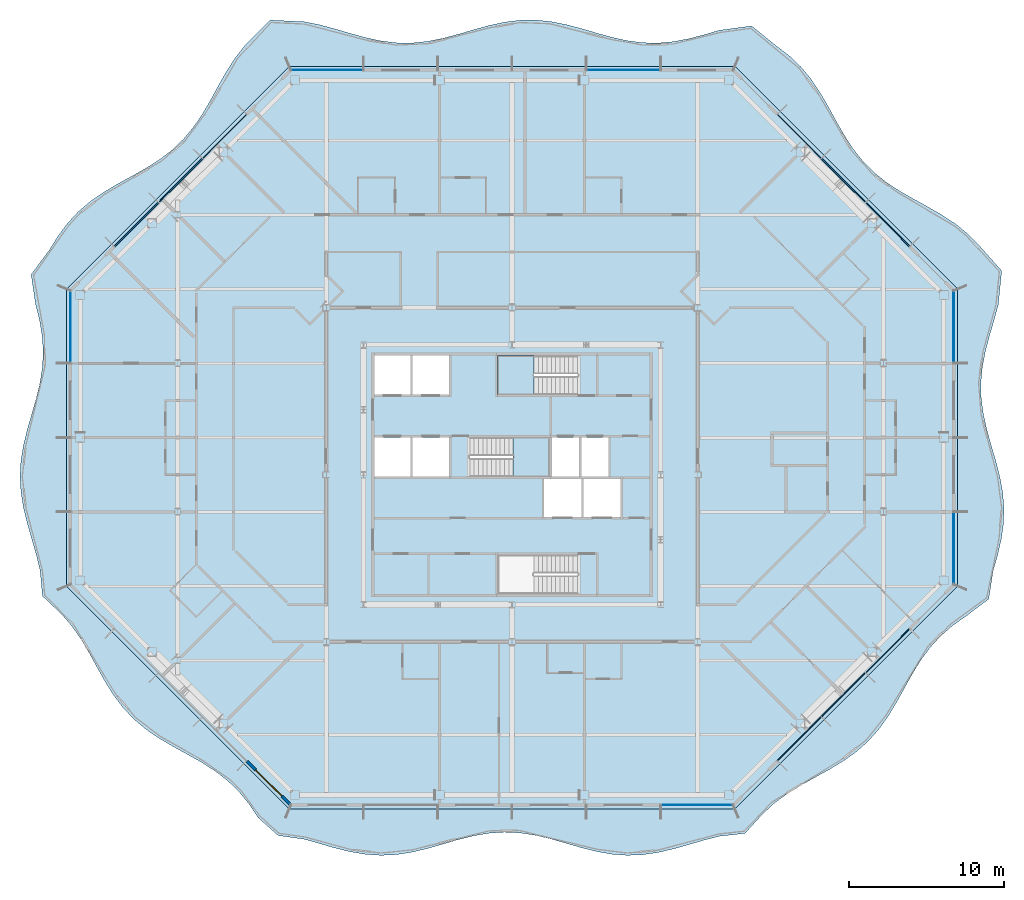
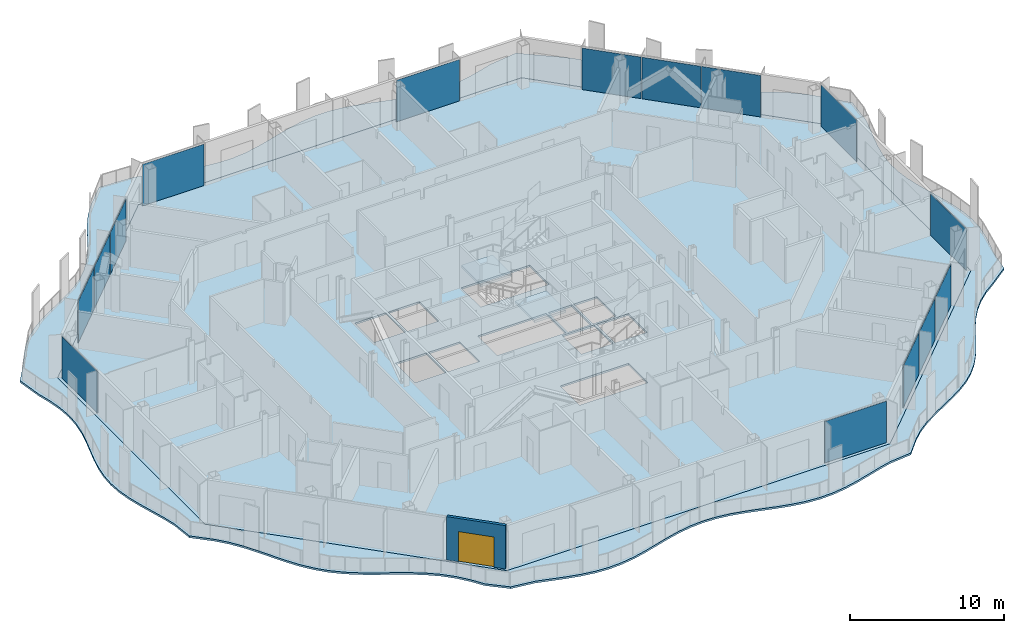
# One storey, part 6 of 21: 15 plates, 4 slabs, 1 door, 1 wall, 1 opening, 9 elements without a shape of their own.
"""IFC4 building model written with IfcOpenShell, lengths in metres."""

from ifc_helpers import new_model, si_unit, direction, frame, frame_2d, origin, origin_2d, place, context, subcontext, project, spatial, polyline, rectangle, outline, extrude, material, layer, layer_set, type_object, element, fill, aggregate, save


model = new_model("IFC4")

# Units and contexts
model_context = context("Model", 3, precision=1e-05, world=origin(), true_north=direction((0.0, 1.0)))
body_context = subcontext(model_context, "Body", "Model", "MODEL_VIEW")
ifc_project = project(units=[si_unit("LENGTHUNIT", "METRE"), si_unit("AREAUNIT", "SQUARE_METRE"), si_unit("VOLUMEUNIT", "CUBIC_METRE"), si_unit("PLANEANGLEUNIT", "RADIAN"), si_unit("MASSUNIT", "GRAM", prefix="KILO")], contexts=[model_context])

# Site, building, storey
site_placement = place(None, origin())
site = spatial("IfcSite", under=ifc_project, at=site_placement, CompositionType="ELEMENT")
building_placement = place(site_placement, origin())
building = spatial("IfcBuilding", under=site, at=building_placement, Name="Cairn Pilgrim Tower", CompositionType="ELEMENT")
storey_placement = place(building_placement, frame((0.0, 0.0, 157.800048828125)))
storey = spatial("IfcBuildingStorey", under=building, at=storey_placement, Name="L39", CompositionType="ELEMENT", Elevation=157.800048828125)

# Slabs
ifc_material_1 = material(Name="Concrete C35/45", Category="concrete")
ifc_layer_1 = layer(ifc_material_1, 0.14990234375)
ifc_layer_set_1 = layer_set([ifc_layer_1], Name="BALCONY SLAB 150 CONCRETE C35/45")
slab_type_1 = type_object("IfcSlabType", Name="BALCONY SLAB 150 CONCRETE C35/45", PredefinedType="FLOOR", material=ifc_layer_set_1)
slab_1_placement = place(storey_placement, frame((0.0, 0.0, -0.150146484375)))
element("IfcSlab", 1, at=slab_1_placement, inside=storey, type_object=slab_type_1, Name="Balcony slab BS-1", PredefinedType="FLOOR", context=body_context, shape_type="SweptSolid", body=[
    extrude(outline(polyline([(-9.2060546875, -19.76611328125), (-7.912353515625, -20.919677734375), (-6.206787109375, -21.1611328125), (-5.2138671875, -21.446044921875), (-4.220703125, -21.7314453125), (-3.2275390625, -21.974609375), (-2.234375, -22.138916015625), (-1.241455078125, -22.199951171875), (-0.248291015625, -22.148193359375), (0.744873046875, -21.99169921875), (1.738037109375, -21.75390625), (2.73095703125, -21.47021484375), (3.72412109375, -21.183837890625), (4.71728515625, -20.937255859375), (5.71044921875, -20.767578125), (6.703369140625, -20.700439453125), (7.696533203125, -20.74609375), (8.689697265625, -20.897216796875), (9.682861328125, -21.13134765625), (10.67578125, -21.41357421875), (11.6689453125, -21.700927734375), (12.662109375, -21.950927734375), (13.6552734375, -22.12548828125), (14.648193359375, -22.19873046875), (15.641357421875, -22.159423828125), (16.634521484375, -22.013671875), (17.627685546875, -21.783203125), (18.62060546875, -21.502685546875), (19.61376953125, -21.21435546875), (20.60693359375, -20.96142578125), (22.255126953125, -20.78173828125), (23.382080078125, -19.5419921875), (24.12890625, -18.84912109375), (24.955322265625, -18.235107421875), (25.84375, -17.683837890625), (26.768310546875, -17.168212890625), (27.6962890625, -16.656494140625), (28.59521484375, -16.115234375), (29.4365234375, -15.5166015625), (30.201171875, -14.84130859375), (30.88232421875, -14.082275390625), (31.48583984375, -13.245849609375), (32.0302734375, -12.350341796875), (32.543212890625, -11.42333984375), (33.057373046875, -10.49755859375), (33.605224609375, -9.605224609375), (34.214111328125, -8.77392578125), (34.901123046875, -8.021240234375), (35.671875, -7.351806640625), (36.51806640625, -6.758056640625), (38.00830078125, -5.6318359375), (38.301513671875, -3.78955078125), (38.586669921875, -2.779052734375), (38.819580078125, -1.768310546875), (38.9638671875, -0.7578125), (38.997314453125, 0.252685546875), (38.91455078125, 1.26318359375), (38.728515625, 2.273681640625), (38.468017578125, 3.2841796875), (38.173828125, 4.294677734375), (37.891357421875, 5.30517578125), (37.66455078125, 6.315673828125), (37.52880859375, 7.326416015625), (37.50537109375, 8.3369140625), (37.597412109375, 9.347412109375), (37.791015625, 10.35791015625), (38.055908203125, 11.368408203125), (38.350830078125, 12.37890625), (38.63037109375, 13.389404296875), (38.8505859375, 15.580810546875), (37.3857421875, 17.225830078125), (36.6748046875, 17.954833984375), (35.881103515625, 18.60107421875), (35.016357421875, 19.17626953125), (34.103515625, 19.703369140625), (33.1728515625, 20.212890625), (32.257568359375, 20.73779296875), (31.388916015625, 21.308837890625), (30.589599609375, 21.94970703125), (29.872802734375, 22.6728515625), (29.23779296875, 23.477783203125), (28.6708984375, 24.35107421875), (28.1484375, 25.268310546875), (27.638916015625, 26.19873046875), (27.109130859375, 27.109130859375), (26.529296875, 27.96923828125), (25.876953125, 28.757080078125), (25.141845703125, 29.4619140625), (24.325927734375, 30.0859375), (22.6806640625, 31.408935546875), (20.60693359375, 31.131591796875), (19.61376953125, 30.842041015625), (18.62060546875, 30.583740234375), (17.627685546875, 30.395263671875), (16.634521484375, 30.305419921875), (15.641357421875, 30.3271484375), (14.648193359375, 30.45751953125), (13.6552734375, 30.677001953125), (12.662109375, 30.952392578125), (11.6689453125, 31.242431640625), (10.67578125, 31.50341796875), (9.682861328125, 31.696533203125), (8.689697265625, 31.79248046875), (7.696533203125, 31.77685546875), (6.703369140625, 31.65234375), (5.71044921875, 31.43701171875), (4.71728515625, 31.163818359375), (3.72412109375, 30.87353515625), (2.73095703125, 30.609619140625), (1.738037109375, 30.411865234375), (0.744873046875, 30.31005859375), (-0.248291015625, 30.319091796875), (-1.241455078125, 30.438232421875), (-2.234375, 30.649169921875), (-3.2275390625, 30.920166015625), (-4.220703125, 31.210693359375), (-5.2138671875, 31.477294921875), (-6.206787109375, 31.679443359375), (-8.437255859375, 31.787109375), (-10.029052734375, 30.189208984375), (-10.6640625, 29.38427734375), (-11.23095703125, 28.510986328125), (-11.75341796875, 27.593505859375), (-12.262939453125, 26.6630859375), (-12.792724609375, 25.752685546875), (-13.372802734375, 24.892822265625), (-14.02490234375, 24.10498046875), (-14.76025390625, 23.400146484375), (-15.575927734375, 22.776123046875), (-16.457275390625, 22.21728515625), (-17.378662109375, 21.69873046875), (-18.30810546875, 21.188232421875), (-19.212890625, 20.653076171875), (-20.063720703125, 20.063720703125), (-20.840087890625, 19.39990234375), (-21.53271484375, 18.65283203125), (-22.146484375, 17.826416015625), (-22.697509765625, 16.9375), (-23.881103515625, 15.344970703125), (-23.589111328125, 13.389404296875), (-23.337646484375, 12.37890625), (-23.165771484375, 11.368408203125), (-23.100341796875, 10.35791015625), (-23.151123046875, 9.347412109375), (-23.310791015625, 8.3369140625), (-23.55419921875, 7.326416015625), (-23.843505859375, 6.315673828125), (-24.134033203125, 5.30517578125), (-24.380126953125, 4.294677734375), (-24.5439453125, 3.2841796875), (-24.60009765625, 2.273681640625), (-24.539306640625, 1.26318359375), (-24.37158203125, 0.252685546875), (-24.122802734375, -0.7578125), (-23.83154296875, -1.768310546875), (-23.543212890625, -2.779052734375), (-23.302490234375, -3.78955078125), (-23.14697265625, -5.440673828125), (-21.941162109375, -6.5810546875), (-21.27197265625, -7.35205078125), (-20.678466796875, -8.198486328125), (-20.140625, -9.1005859375), (-19.629638671875, -10.029541015625), (-19.1123046875, -10.952392578125), (-18.55712890625, -11.837158203125), (-17.93798828125, -12.657958984375), (-17.238525390625, -13.398681640625), (-16.4560546875, -14.05615234375), (-15.60009765625, -14.64013671875), (-14.6923828125, -15.17236328125), (-13.76220703125, -15.68212890625), (-12.843017578125, -16.202880859375), (-11.966064453125, -16.765869140625), (-11.156005859375, -17.39599609375), (-10.42724609375, -18.107421875), (-9.78125, -18.9013671875), (-9.2060546875, -19.76611328125)]), holes=[polyline([(21.60009765625, -19.199951171875), (-7.199951171875, -19.199951171875), (-21.60009765625, -4.800048828125), (-21.60009765625, 14.39990234375), (-7.199951171875, 28.800048828125), (21.60009765625, 28.800048828125), (36.0, 14.39990234375), (36.0, -4.800048828125), (21.60009765625, -19.199951171875)])]), origin(), (0.0, 0.0, 1.0), 0.150146484375),
])
ifc_layer_2 = layer(ifc_material_1, 0.14990234375)
ifc_layer_set_2 = layer_set([ifc_layer_2], Name="COMPOSITE FLOOR SLAB 150")
slab_type_2 = type_object("IfcSlabType", Name="COMPOSITE FLOOR SLAB 150", PredefinedType="FLOOR", material=ifc_layer_set_2)
slab_2_placement = place(storey_placement, frame((0.0, 0.0, -0.150146484375)))
element("IfcSlab", 2, at=slab_2_placement, inside=storey, type_object=slab_type_2, Name="FLOOR SLAB L39", PredefinedType="FLOOR", context=body_context, shape_type="SweptSolid", body=[
    extrude(outline(polyline([(-7.199951171875, -19.199951171875), (21.60009765625, -19.199951171875), (36.0, -4.800048828125), (36.0, 14.39990234375), (21.60009765625, 28.800048828125), (-7.199951171875, 28.800048828125), (-21.60009765625, 14.39990234375), (-21.60009765625, -4.800048828125), (-7.199951171875, -19.199951171875)]), holes=[polyline([(9.27490234375, -0.324951171875), (11.675048828125, -0.324951171875), (11.675048828125, 2.125), (9.27490234375, 2.125), (9.27490234375, -0.324951171875)]), polyline([(11.824951171875, -0.324951171875), (14.22509765625, -0.324951171875), (14.22509765625, 2.125), (11.824951171875, 2.125), (11.824951171875, -0.324951171875)]), polyline([(-1.72509765625, 2.27490234375), (0.625, 2.27490234375), (0.625, 4.824951171875), (-1.72509765625, 4.824951171875), (-1.72509765625, 2.27490234375)]), polyline([(0.77490234375, 2.27490234375), (3.125, 2.27490234375), (3.125, 4.824951171875), (0.77490234375, 4.824951171875), (0.77490234375, 2.27490234375)]), polyline([(-1.72509765625, 7.574951171875), (0.625, 7.574951171875), (0.625, 10.10009765625), (-1.72509765625, 10.10009765625), (-1.72509765625, 7.574951171875)]), polyline([(0.77490234375, 7.574951171875), (3.125, 7.574951171875), (3.125, 10.10009765625), (0.77490234375, 10.10009765625), (0.77490234375, 7.574951171875)]), polyline([(9.77490234375, 2.27490234375), (11.52490234375, 2.27490234375), (11.52490234375, 4.824951171875), (9.77490234375, 4.824951171875), (9.77490234375, 2.27490234375)]), polyline([(11.675048828125, 2.27490234375), (13.425048828125, 2.27490234375), (13.425048828125, 4.824951171875), (11.675048828125, 4.824951171875), (11.675048828125, 2.27490234375)]), polyline([(11.424560546875, -2.77490234375), (6.27490234375, -2.77490234375), (6.27490234375, -5.300048828125), (11.424560546875, -5.300048828125), (11.424560546875, -2.77490234375)]), polyline([(4.4755859375, 2.27490234375), (9.625, 2.27490234375), (9.625, 4.824951171875), (4.4755859375, 4.824951171875), (4.4755859375, 2.27490234375)]), polyline([(11.424560546875, 10.10009765625), (6.27490234375, 10.10009765625), (6.27490234375, 7.574951171875), (11.424560546875, 7.574951171875), (11.424560546875, 10.10009765625)])]), origin(), (0.0, 0.0, 1.0), 0.150146484375),
])

# Curtain wall, plates
ifc_material_2 = material(Name="Aluminium alloy 6063-T6 bronze anodised with Bronze tinted laminated low-E glass 8+16+8.8", Category="aluminium")
curtain_wall_type_1 = type_object("IfcCurtainWallType", Name="CHAMFER CORNER CURTAIN WALL", PredefinedType="NOTDEFINED", material=ifc_material_2)
curtain_wall_1_placement = place(storey_placement, origin())
curtain_wall_1 = element("IfcCurtainWall", 3, at=curtain_wall_1_placement, inside=storey, type_object=curtain_wall_type_1, Name="Chamfer Corner Curtain Wall SE", PredefinedType="NOTDEFINED")
ifc_material_3 = material(Name="Bronze anodised aluminium spandrel panel with mineral wool insulation", Category="aluminium")
ifc_layer_3 = layer(ifc_material_3, 0.06005859375)
ifc_layer_set_3 = layer_set([ifc_layer_3], Name="SPANDREL PANEL 3972x3300")
plate_type_1 = type_object("IfcPlateType", Name="SPANDREL PANEL 3972x3300", PredefinedType="CURTAIN_PANEL", material=ifc_layer_set_3)
plate_1_placement = place(storey_placement, frame((25.7724609375, -14.673828125, 0.0), z_axis=(0.0, 0.0, 1.0), x_axis=(0.707106781187, 0.707106781187, 0.0)))
plate_1 = element("IfcPlate", 4, at=plate_1_placement, type_object=plate_type_1, Name="Spandrel Panel SE2-1", PredefinedType="CURTAIN_PANEL", context=body_context, shape_type="SweptSolid", body=[
    extrude(rectangle(XDim=3.971435546875, YDim=0.06005859375, at=origin_2d()), origin(), (0.0, 0.0, 1.0), 3.300048828125),
])
plate_2_placement = place(storey_placement, frame((28.623291015625, -11.8232421875, 0.0), z_axis=(0.0, 0.0, 1.0), x_axis=(0.707106781187, 0.707106781187, 0.0)))
plate_2 = element("IfcPlate", 5, at=plate_2_placement, type_object=plate_type_1, Name="Spandrel Panel SE3-1", PredefinedType="CURTAIN_PANEL", context=body_context, shape_type="SweptSolid", body=[
    extrude(rectangle(XDim=3.971435546875, YDim=0.06005859375, at=origin_2d()), origin(), (0.0, 0.0, 1.0), 3.300048828125),
])
plate_3_placement = place(storey_placement, frame((31.473876953125, -8.972412109375, 0.0), z_axis=(0.0, 0.0, 1.0), x_axis=(0.707106781187, 0.707106781187, 0.0)))
plate_3 = element("IfcPlate", 6, at=plate_3_placement, type_object=plate_type_1, Name="Spandrel Panel SE4-1", PredefinedType="CURTAIN_PANEL", context=body_context, shape_type="SweptSolid", body=[
    extrude(rectangle(XDim=3.971435546875, YDim=0.06005859375, at=origin_2d()), origin(), (0.0, 0.0, 1.0), 3.300048828125),
])
aggregate(curtain_wall_1, [plate_1, plate_2, plate_3])

curtain_wall_2_placement = place(storey_placement, origin())
curtain_wall_2 = element("IfcCurtainWall", 7, at=curtain_wall_2_placement, inside=storey, type_object=curtain_wall_type_1, Name="Chamfer Corner Curtain Wall NE", PredefinedType="NOTDEFINED")
plate_4_placement = place(storey_placement, frame((31.473876953125, 18.572509765625, 0.0), z_axis=(0.0, 0.0, 1.0), x_axis=(-0.707106781187, 0.707106781187, 0.0)))
plate_4 = element("IfcPlate", 8, at=plate_4_placement, type_object=plate_type_1, Name="Spandrel Panel NE2-1", PredefinedType="CURTAIN_PANEL", context=body_context, shape_type="SweptSolid", body=[
    extrude(rectangle(XDim=3.971435546875, YDim=0.06005859375, at=origin_2d()), origin(), (0.0, 0.0, 1.0), 3.300048828125),
])
plate_5_placement = place(storey_placement, frame((28.623291015625, 21.42333984375, 0.0), z_axis=(0.0, 0.0, 1.0), x_axis=(-0.707106781187, 0.707106781187, 0.0)))
plate_5 = element("IfcPlate", 9, at=plate_5_placement, type_object=plate_type_1, Name="Spandrel Panel NE3-1", PredefinedType="CURTAIN_PANEL", context=body_context, shape_type="SweptSolid", body=[
    extrude(rectangle(XDim=3.971435546875, YDim=0.06005859375, at=origin_2d()), origin(), (0.0, 0.0, 1.0), 3.300048828125),
])
plate_6_placement = place(storey_placement, frame((25.7724609375, 24.27392578125, 0.0), z_axis=(0.0, 0.0, 1.0), x_axis=(-0.707106781187, 0.707106781187, 0.0)))
plate_6 = element("IfcPlate", 10, at=plate_6_placement, type_object=plate_type_1, Name="Spandrel Panel NE4-1", PredefinedType="CURTAIN_PANEL", context=body_context, shape_type="SweptSolid", body=[
    extrude(rectangle(XDim=3.971435546875, YDim=0.06005859375, at=origin_2d()), origin(), (0.0, 0.0, 1.0), 3.300048828125),
])
aggregate(curtain_wall_2, [plate_4, plate_5, plate_6])

curtain_wall_3_placement = place(storey_placement, origin())
curtain_wall_3 = element("IfcCurtainWall", 11, at=curtain_wall_3_placement, inside=storey, type_object=curtain_wall_type_1, Name="Chamfer Corner Curtain Wall NW", PredefinedType="NOTDEFINED")
plate_7_placement = place(storey_placement, frame((-11.37255859375, 24.27392578125, 0.0), z_axis=(0.0, 0.0, 1.0), x_axis=(-0.707106781187, -0.707106781187, 0.0)))
plate_7 = element("IfcPlate", 12, at=plate_7_placement, type_object=plate_type_1, Name="Spandrel Panel NW2-1", PredefinedType="CURTAIN_PANEL", context=body_context, shape_type="SweptSolid", body=[
    extrude(rectangle(XDim=3.971435546875, YDim=0.06005859375, at=origin_2d()), origin(), (0.0, 0.0, 1.0), 3.300048828125),
])
plate_8_placement = place(storey_placement, frame((-14.22314453125, 21.42333984375, 0.0), z_axis=(0.0, 0.0, 1.0), x_axis=(-0.707106781187, -0.707106781187, 0.0)))
plate_8 = element("IfcPlate", 13, at=plate_8_placement, type_object=plate_type_1, Name="Spandrel Panel NW3-1", PredefinedType="CURTAIN_PANEL", context=body_context, shape_type="SweptSolid", body=[
    extrude(rectangle(XDim=3.971435546875, YDim=0.06005859375, at=origin_2d()), origin(), (0.0, 0.0, 1.0), 3.300048828125),
])
plate_9_placement = place(storey_placement, frame((-17.073974609375, 18.572509765625, 0.0), z_axis=(0.0, 0.0, 1.0), x_axis=(-0.707106781187, -0.707106781187, 0.0)))
plate_9 = element("IfcPlate", 14, at=plate_9_placement, type_object=plate_type_1, Name="Spandrel Panel NW4-1", PredefinedType="CURTAIN_PANEL", context=body_context, shape_type="SweptSolid", body=[
    extrude(rectangle(XDim=3.971435546875, YDim=0.06005859375, at=origin_2d()), origin(), (0.0, 0.0, 1.0), 3.300048828125),
])
aggregate(curtain_wall_3, [plate_7, plate_8, plate_9])

# Stair, slab
ifc_material_4 = material(Name="Concrete C32/40", Category="concrete")
stair_type = type_object("IfcStairType", Name="EXIT STAIR 1200", PredefinedType="HALF_TURN_STAIR", material=ifc_material_4)
stair_1_placement = place(storey_placement, origin())
stair_1 = element("IfcStair", 15, at=stair_1_placement, inside=storey, type_object=stair_type, Name="L39 Exit Stair B", PredefinedType="HALF_TURN_STAIR")
ifc_layer_4 = layer(ifc_material_4, 0.199951171875)
ifc_layer_set_4 = layer_set([ifc_layer_4], Name="STAIR LANDING 200")
slab_type_3 = type_object("IfcSlabType", Name="STAIR LANDING 200", PredefinedType="LANDING", material=ifc_layer_set_4)
slab_3_placement = place(storey_placement, frame((0.0, 0.0, 1.599853515625)))
slab_3 = element("IfcSlab", 16, at=slab_3_placement, type_object=slab_type_3, Name="ST-B landing 1", PredefinedType="LANDING", context=body_context, shape_type="SweptSolid", body=[
    extrude(outline(polyline([(7.27490234375, 2.27490234375), (9.625, 2.27490234375), (9.625, 4.824951171875), (7.27490234375, 4.824951171875), (7.27490234375, 2.27490234375)])), origin(), (0.0, 0.0, 1.0), 0.2001953125),
])
aggregate(stair_1, [slab_3])

stair_2_placement = place(storey_placement, origin())
stair_2 = element("IfcStair", 17, at=stair_2_placement, inside=storey, type_object=stair_type, Name="L39 Exit Stair C", PredefinedType="HALF_TURN_STAIR")
slab_4_placement = place(storey_placement, frame((0.0, 0.0, 1.599853515625)))
slab_4 = element("IfcSlab", 18, at=slab_4_placement, type_object=slab_type_3, Name="ST-C landing 1", PredefinedType="LANDING", context=body_context, shape_type="SweptSolid", body=[
    extrude(outline(polyline([(8.625, 10.10009765625), (6.27490234375, 10.10009765625), (6.27490234375, 7.574951171875), (8.625, 7.574951171875), (8.625, 10.10009765625)])), origin(), (0.0, 0.0, 1.0), 0.2001953125),
])
aggregate(stair_2, [slab_4])

# Curtain wall, plate
curtain_wall_type_2 = type_object("IfcCurtainWallType", Name="TOWER STICK CURTAIN WALL NS", PredefinedType="NOTDEFINED", material=ifc_material_2)
curtain_wall_4_placement = place(storey_placement, origin())
curtain_wall_4 = element("IfcCurtainWall", 19, at=curtain_wall_4_placement, inside=storey, type_object=curtain_wall_type_2, Name="Tower Stick Curtain Wall Ns S", PredefinedType="NOTDEFINED")
ifc_material_5 = material(Name="Bronze tinted laminated low-E glass 8+16+8.8", Category="glass")
ifc_layer_5 = layer(ifc_material_5, 0.033935546875)
ifc_layer_set_5 = layer_set([ifc_layer_5], Name="VISION GLAZING 4626x3300")
plate_type_2 = type_object("IfcPlateType", Name="VISION GLAZING 4626x3300", PredefinedType="CURTAIN_PANEL", material=ifc_layer_set_5)
plate_10_placement = place(storey_placement, frame((19.143310546875, -18.949951171875, 0.0), z_axis=(0.0, 0.0, 1.0), x_axis=(1.0, 0.0, 0.0)))
plate_10 = element("IfcPlate", 20, at=plate_10_placement, type_object=plate_type_2, Name="Vision Glazing S6-1", PredefinedType="CURTAIN_PANEL", context=body_context, shape_type="SweptSolid", body=[
    extrude(rectangle(XDim=4.62646484375, YDim=0.033935546875, at=origin_2d()), origin(), (0.0, 0.0, 1.0), 3.300048828125),
])
aggregate(curtain_wall_4, [plate_10])

# Curtain wall, plates
curtain_wall_type_3 = type_object("IfcCurtainWallType", Name="TOWER STICK CURTAIN WALL EW", PredefinedType="NOTDEFINED", material=ifc_material_2)
curtain_wall_5_placement = place(storey_placement, origin())
curtain_wall_5 = element("IfcCurtainWall", 21, at=curtain_wall_5_placement, inside=storey, type_object=curtain_wall_type_3, Name="Tower Stick Curtain Wall Ew E", PredefinedType="NOTDEFINED")
plate_11_placement = place(storey_placement, frame((35.75, -2.34326171875, 0.0), z_axis=(0.0, 0.0, 1.0), x_axis=(0.0, 1.0, 0.0)))
plate_11 = element("IfcPlate", 22, at=plate_11_placement, type_object=plate_type_2, Name="Vision Glazing E1-1", PredefinedType="CURTAIN_PANEL", context=body_context, shape_type="SweptSolid", body=[
    extrude(rectangle(XDim=4.62646484375, YDim=0.033935546875, at=origin_2d()), origin(), (0.0, 0.0, 1.0), 3.300048828125),
])
plate_12_placement = place(storey_placement, frame((35.75, 11.943115234375, 0.0), z_axis=(0.0, 0.0, 1.0), x_axis=(0.0, 1.0, 0.0)))
plate_12 = element("IfcPlate", 23, at=plate_12_placement, type_object=plate_type_2, Name="Vision Glazing E4-1", PredefinedType="CURTAIN_PANEL", context=body_context, shape_type="SweptSolid", body=[
    extrude(rectangle(XDim=4.62646484375, YDim=0.033935546875, at=origin_2d()), origin(), (0.0, 0.0, 1.0), 3.300048828125),
])
aggregate(curtain_wall_5, [plate_11, plate_12])

# Curtain wall, plate
curtain_wall_6_placement = place(storey_placement, origin())
curtain_wall_6 = element("IfcCurtainWall", 24, at=curtain_wall_6_placement, inside=storey, type_object=curtain_wall_type_2, Name="Tower Stick Curtain Wall Ns N", PredefinedType="NOTDEFINED")
plate_13_placement = place(storey_placement, frame((-4.7431640625, 28.550048828125, 0.0), z_axis=(0.0, 0.0, 1.0), x_axis=(-1.0, 0.0, 0.0)))
plate_13 = element("IfcPlate", 25, at=plate_13_placement, type_object=plate_type_2, Name="Vision Glazing N6-1", PredefinedType="CURTAIN_PANEL", context=body_context, shape_type="SweptSolid", body=[
    extrude(rectangle(XDim=4.62646484375, YDim=0.033935546875, at=origin_2d()), origin(), (0.0, 0.0, 1.0), 3.300048828125),
])

curtain_wall_7_placement = place(storey_placement, origin())
curtain_wall_7 = element("IfcCurtainWall", 26, at=curtain_wall_7_placement, inside=storey, type_object=curtain_wall_type_3, Name="Tower Stick Curtain Wall Ew W", PredefinedType="NOTDEFINED")
plate_14_placement = place(storey_placement, frame((-21.35009765625, 11.943115234375, 0.0), z_axis=(0.0, 0.0, 1.0), x_axis=(0.0, -1.0, 0.0)))
plate_14 = element("IfcPlate", 27, at=plate_14_placement, type_object=plate_type_2, Name="Vision Glazing W1-1", PredefinedType="CURTAIN_PANEL", context=body_context, shape_type="SweptSolid", body=[
    extrude(rectangle(XDim=4.62646484375, YDim=0.033935546875, at=origin_2d()), origin(), (0.0, 0.0, 1.0), 3.300048828125),
])
aggregate(curtain_wall_7, [plate_14])

# Plate
ifc_layer_6 = layer(ifc_material_5, 0.033935546875)
ifc_layer_set_6 = layer_set([ifc_layer_6], Name="VISION GLAZING 4740x3300")
plate_type_3 = type_object("IfcPlateType", Name="VISION GLAZING 4740x3300", PredefinedType="CURTAIN_PANEL", material=ifc_layer_set_6)
plate_15_placement = place(storey_placement, frame((14.39990234375, 28.550048828125, 0.0), z_axis=(0.0, 0.0, 1.0), x_axis=(-1.0, 0.0, 0.0)))
plate_15 = element("IfcPlate", 28, at=plate_15_placement, type_object=plate_type_3, Name="Vision Glazing N2-1", PredefinedType="CURTAIN_PANEL", context=body_context, shape_type="SweptSolid", body=[
    extrude(rectangle(XDim=4.739990234375, YDim=0.033935546875, at=origin_2d()), origin(), (0.0, 0.0, 1.0), 3.300048828125),
])

aggregate(curtain_wall_6, [plate_15, plate_13])

# Wall, opening, door
ifc_material_6 = material(Name="Bronze anodised aluminium insulated sandwich panel with mineral wool fill", Category="aluminium")
ifc_layer_7 = layer(ifc_material_6, 0.199951171875)
ifc_layer_set_7 = layer_set([ifc_layer_7], Name="BRONZE INFILL FRAME WALL 200")
wall_type = type_object("IfcWallType", Name="BRONZE INFILL FRAME WALL 200", PredefinedType="NOTDEFINED", material=ifc_layer_set_7)
wall_placement = place(storey_placement, frame((-9.926025390625, -16.12060546875, 0.0), z_axis=(0.0, 0.0, 1.0), x_axis=(0.707137595296, -0.707075965734, 0.0)))
wall = element("IfcWall", 29, at=wall_placement, inside=storey, type_object=wall_type, Name="Bronze infill frame wall IW-SW5", PredefinedType="NOTDEFINED", context=body_context, shape_type="SweptSolid", body=[
    extrude(rectangle(XDim=3.96142578125, YDim=0.199951171875, at=frame_2d((1.980712890625, 0.0))), origin(), (0.0, 0.0, 1.0), 3.449951171875),
])
opening_placement = place(wall_placement, frame((0.78564453125, 0.0, 0.0)))
opening = element("IfcOpeningElement", 30, at=opening_placement, cuts=wall, Name="Opening 3921B", PredefinedType="OPENING", context=body_context, shape_type="SweptSolid", body=[
    extrude(rectangle(XDim=2.39990234375, YDim=2.39990234375, at=frame_2d((1.199951171875, 1.199951171875))), frame((0.0, 0.10986328125, 0.0), z_axis=(0.0, -1.0, 0.0), x_axis=(1.0, 0.0, 0.0)), (0.0, 0.0, 1.0), 0.219970703125),
])
ifc_material_7 = material(Name="Bronze anodised aluminium frame with tinted low-E glass", Category="aluminium")
door_type = type_object("IfcDoorType", Name="BALCONY SLIDING DOOR 2400x2400", OperationType="DOUBLE_DOOR_SLIDING", PredefinedType="DOOR", material=ifc_material_7)
door_placement = place(opening_placement, origin())
door = element("IfcDoor", 31, at=door_placement, inside=storey, type_object=door_type, Name="Balcony sliding door 3921B", OperationType="SINGLE_SWING_LEFT", OverallHeight=2.39990234375, OverallWidth=2.39990234375, PredefinedType="DOOR", context=body_context, shape_type="SweptSolid", body=[
    extrude(rectangle(XDim=2.39990234375, YDim=2.39990234375, at=frame_2d((1.199951171875, 1.199951171875))), frame((0.0, 0.02490234375, 0.0), z_axis=(0.0, -1.0, 0.0), x_axis=(1.0, 0.0, 0.0)), (0.0, 0.0, 1.0), 0.050048828125),
])
fill(opening, door)

save(model, "model.ifc")
